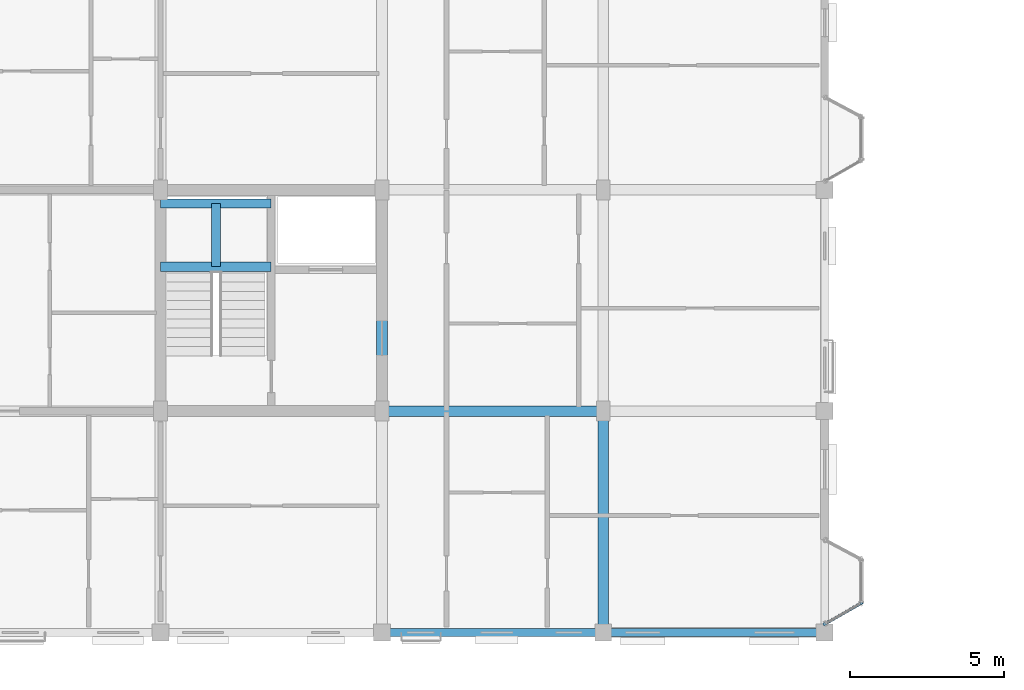
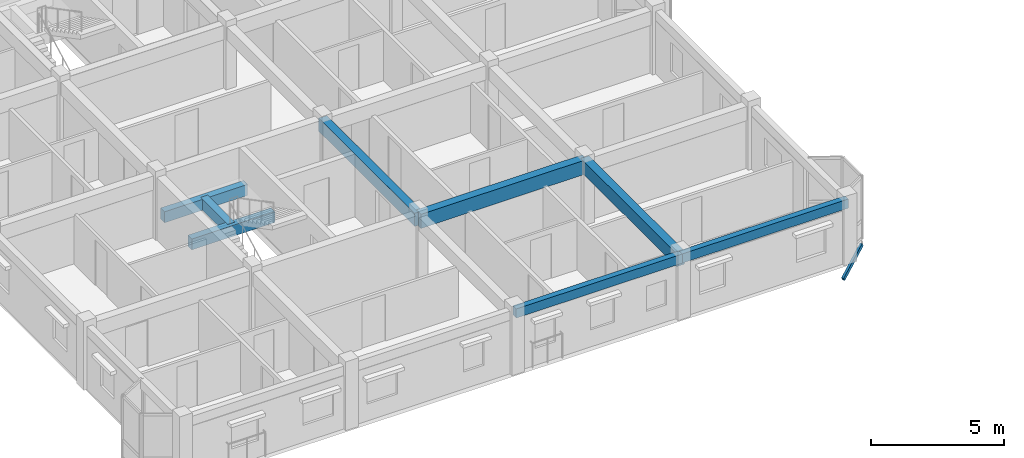
# One storey, part 5 of 79: 8 beams, 1 member.
"""IFC4 building model written with IfcOpenShell, lengths in metres."""

from ifc_helpers import new_model, si_unit, direction, frame, origin, origin_2d, place, context, subcontext, project, spatial, rectangle, hollow_rectangle, extrude, material, material_profile, profile_set, type_object, element, save


model = new_model("IFC4")

# Units and contexts
model_context = context("Model", 3, precision=1e-05, world=origin(), true_north=direction((0.0, 1.0)))
body_context = subcontext(model_context, "Body", "Model", "MODEL_VIEW")
ifc_project = project(units=[si_unit("LENGTHUNIT", "METRE"), si_unit("AREAUNIT", "SQUARE_METRE"), si_unit("VOLUMEUNIT", "CUBIC_METRE"), si_unit("PLANEANGLEUNIT", "RADIAN"), si_unit("MASSUNIT", "GRAM", prefix="KILO"), si_unit("THERMODYNAMICTEMPERATUREUNIT", "KELVIN"), si_unit("POWERUNIT", "WATT")], contexts=[model_context])

# Site, building, storey
site_placement = place(None, origin())
site = spatial("IfcSite", under=ifc_project, at=site_placement, CompositionType="ELEMENT")
building_placement = place(site_placement, origin())
building = spatial("IfcBuilding", under=site, at=building_placement, Name="Tavuni Mirador Residences", CompositionType="ELEMENT")
storey_placement = place(building_placement, frame((0.0, 0.0, 13.949951171875)))
storey = spatial("IfcBuildingStorey", under=building, at=storey_placement, Name="L04", CompositionType="ELEMENT", Elevation=13.949951171875)

# Beams
ifc_material_1 = material(Name="Precast concrete C40/50", Category="concrete")
ifc_material_profile_1 = material_profile(ifc_material_1, rectangle(XDim=0.300048828125, YDim=0.5, at=origin_2d()), Name="PC 300x500", Category="concrete")
ifc_profile_set_1 = profile_set([ifc_material_profile_1], Name="Precast concrete C40/50")
beam_type_1 = type_object("IfcBeamType", Name="BT-B500", PredefinedType="BEAM", material=ifc_profile_set_1)
for number, where, z_axis, x_axis, name in (
    (1, (10.800048828125, 19.10009765625, 1.14501953125), (1.0, 0.0, 0.0), (0.0, 1.0, 0.0), "HLB1-C1-L04"),
    (2, (10.800048828125, 21.14990234375, 1.14501953125), (1.0, 0.0, 0.0), (0.0, 1.0, 0.0), "HLB2-C1-L04"),
):
    element("IfcBeam", number, at=place(storey_placement, frame(where, z_axis=z_axis, x_axis=x_axis)), inside=storey, type_object=beam_type_1, Name=name, PredefinedType="BEAM", context=body_context, shape_type="SweptSolid", body=[
        extrude(rectangle(XDim=0.300048828125, YDim=0.5, at=origin_2d()), origin(), (0.0, 0.0, 1.0), 3.599853515625),
    ])
beam_1_placement = place(storey_placement, frame((12.60009765625, 19.10009765625, 1.14501953125), z_axis=(0.0, 1.0, 0.0), x_axis=(-1.0, 0.0, 0.0)))
element("IfcBeam", 3, at=beam_1_placement, inside=storey, type_object=beam_type_1, Name="HLB3-C1-L04", PredefinedType="BEAM", context=body_context, shape_type="SweptSolid", body=[
    extrude(rectangle(XDim=0.300048828125, YDim=0.5, at=origin_2d()), origin(), (0.0, 0.0, 1.0), 2.0498046875),
])
ifc_material_profile_2 = material_profile(ifc_material_1, rectangle(XDim=0.35009765625, YDim=0.60009765625, at=origin_2d()), Name="PC 350x600", Category="concrete")
ifc_profile_set_2 = profile_set([ifc_material_profile_2], Name="Precast concrete C40/50")
beam_type_2 = type_object("IfcBeamType", Name="BT-B600", PredefinedType="BEAM", material=ifc_profile_set_2)
beam_2_placement = place(storey_placement, frame((18.0, 14.39990234375, 2.570068359375), z_axis=(0.0, 1.0, 0.0), x_axis=(-1.0, 0.0, 0.0)))
element("IfcBeam", 4, at=beam_2_placement, inside=storey, type_object=beam_type_2, Name="BMY-BLK-A-L04-02-01", PredefinedType="BEAM", context=body_context, shape_type="SweptSolid", body=[
    extrude(rectangle(XDim=0.35009765625, YDim=0.60009765625, at=origin_2d()), origin(), (0.0, 0.0, 1.0), 7.2001953125),
])
beam_3_placement = place(storey_placement, frame((25.199951171875, 7.199951171875, 2.570068359375), z_axis=(0.0, 1.0, 0.0), x_axis=(-1.0, 0.0, 0.0)))
element("IfcBeam", 5, at=beam_3_placement, inside=storey, type_object=beam_type_2, Name="BMY-BLK-A-L04-03-00", PredefinedType="BEAM", context=body_context, shape_type="SweptSolid", body=[
    extrude(rectangle(XDim=0.35009765625, YDim=0.60009765625, at=origin_2d()), origin(), (0.0, 0.0, 1.0), 7.199951171875),
])
ifc_material_profile_3 = material_profile(ifc_material_1, rectangle(XDim=0.35009765625, YDim=0.64990234375, at=origin_2d()), Name="PC 350x650", Category="concrete")
ifc_profile_set_3 = profile_set([ifc_material_profile_3], Name="Precast concrete C40/50")
beam_type_3 = type_object("IfcBeamType", Name="BT-B650", PredefinedType="BEAM", material=ifc_profile_set_3)
beam_4_placement = place(storey_placement, frame((18.0, 14.39990234375, 2.545166015625), z_axis=(1.0, 0.0, 0.0), x_axis=(0.0, 1.0, 0.0)))
element("IfcBeam", 6, at=beam_4_placement, inside=storey, type_object=beam_type_3, Name="BMX-BLK-A-L04-02-01", PredefinedType="BEAM", context=body_context, shape_type="SweptSolid", body=[
    extrude(rectangle(XDim=0.35009765625, YDim=0.64990234375, at=origin_2d()), origin(), (0.0, 0.0, 1.0), 7.199951171875),
])
ifc_material_profile_4 = material_profile(ifc_material_1, rectangle(XDim=0.25, YDim=0.419921875, at=origin_2d()), Name="PC 250x420", Category="concrete")
ifc_profile_set_4 = profile_set([ifc_material_profile_4], Name="Precast concrete C40/50")
beam_type_4 = type_object("IfcBeamType", Name="BT-SP420", PredefinedType="SPANDREL", material=ifc_profile_set_4)
for number, where, z_axis, x_axis, name in (
    (7, (18.0, 7.199951171875, 2.66015625), (1.0, 0.0, 0.0), (0.0, 1.0, 0.0), "BMX-BLK-A-L04-02-00"),
    (8, (25.199951171875, 7.199951171875, 2.66015625), (1.0, 0.0, 0.0), (0.0, 1.0, 0.0), "BMX-BLK-A-L04-03-00"),
):
    element("IfcBeam", number, at=place(storey_placement, frame(where, z_axis=z_axis, x_axis=x_axis)), inside=storey, type_object=beam_type_4, Name=name, PredefinedType="SPANDREL", context=body_context, shape_type="SweptSolid", body=[
        extrude(rectangle(XDim=0.25, YDim=0.419921875, at=origin_2d()), origin(), (0.0, 0.0, 1.0), 7.199951171875),
    ])

# Member
ifc_material_2 = material(Name="Structural steel S355", Category="steel")
ifc_material_profile_5 = material_profile(ifc_material_2, hollow_rectangle(XDim=0.10009765625, YDim=0.179931640625, WallThickness=0.008056640625, at=origin_2d()), Name="RHS 180x100x8.0", Category="steel")
ifc_profile_set_5 = profile_set([ifc_material_profile_5], Name="Structural steel S355")
member_type = type_object("IfcMemberType", Name="MT-BR-RHS180", PredefinedType="BRACE", material=ifc_profile_set_5)
member_placement = place(storey_placement, frame((32.39990234375, 7.47509765625, -1.050048828125), z_axis=(0.758710666466, 0.432909564572, 0.486772465833), x_axis=(-0.495587053321, 0.868558272415, 0.0)))
element("IfcMember", 9, at=member_placement, inside=storey, type_object=member_type, Name="MBRK-MIR-A-E1-L04-1", PredefinedType="BRACE", context=body_context, shape_type="SweptSolid", body=[
    extrude(hollow_rectangle(XDim=0.10009765625, YDim=0.179931640625, WallThickness=0.008056640625, at=origin_2d()), origin(), (0.0, 0.0, 1.0), 1.581787109375),
])

save(model, "model.ifc")
